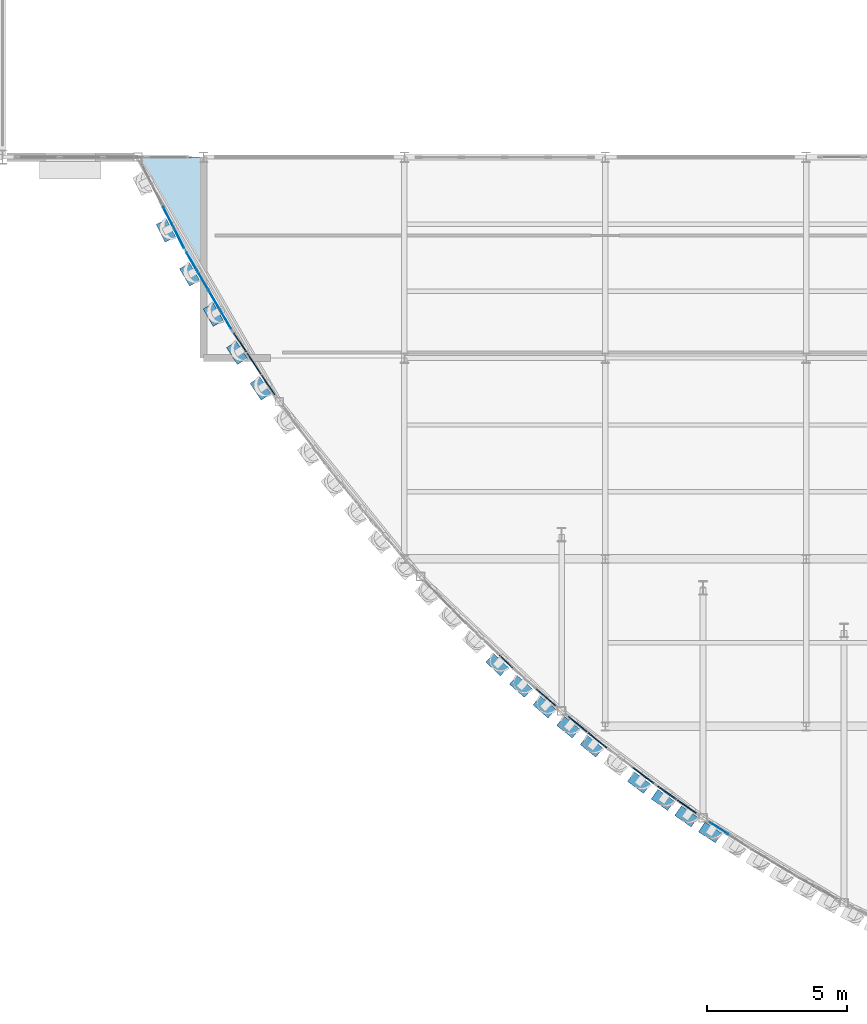
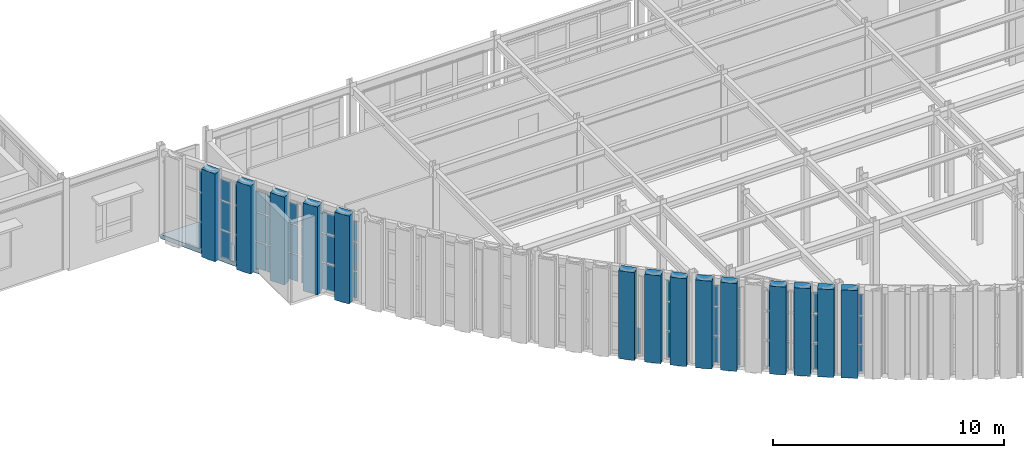
# One storey, part 74 of 121: 63 plates, 1 slab, 9 elements without a shape of their own.
"""IFC4 building model written with IfcOpenShell, lengths in metres."""

from ifc_helpers import new_model, si_unit, direction, frame, origin, origin_2d, place, context, subcontext, project, spatial, polyline, rectangle, outline, extrude, material, layer, layer_set, type_object, element, aggregate, save


model = new_model("IFC4")

# Units and contexts
model_context = context("Model", 3, precision=1e-05, world=origin(), true_north=direction((0.0, 1.0)))
body_context = subcontext(model_context, "Body", "Model", "MODEL_VIEW")
ifc_project = project(units=[si_unit("LENGTHUNIT", "METRE"), si_unit("AREAUNIT", "SQUARE_METRE"), si_unit("VOLUMEUNIT", "CUBIC_METRE"), si_unit("PLANEANGLEUNIT", "RADIAN"), si_unit("MASSUNIT", "GRAM", prefix="KILO")], contexts=[model_context])

# Site, building, storey
site_placement = place(None, origin())
site = spatial("IfcSite", under=ifc_project, at=site_placement, CompositionType="ELEMENT")
building_placement = place(site_placement, origin())
building = spatial("IfcBuilding", under=site, at=building_placement, Name="Solvadek Multi-Sports Hall", CompositionType="ELEMENT")
storey_placement = place(building_placement, frame((0.0, 0.0, 4.800048828125)))
storey = spatial("IfcBuildingStorey", under=building, at=storey_placement, Name="L01", CompositionType="ELEMENT", Elevation=4.800048828125)

# Curtain wall, plates
ifc_material_1 = material(Name="Anodised aluminium", Category="aluminium")
ifc_layer_1 = layer(ifc_material_1, 0.159912109375, Name="Anodised aluminium")
ifc_layer_set_1 = layer_set([ifc_layer_1], Name="Anodised aluminium")
curtain_wall_type_1 = type_object("IfcCurtainWallType", Name="ENV-CW-347X420", PredefinedType="USERDEFINED", material=ifc_layer_set_1)
curtain_wall_1_placement = place(storey_placement, origin())
curtain_wall_1 = element("IfcCurtainWall", 1, at=curtain_wall_1_placement, inside=storey, type_object=curtain_wall_type_1, Name="L01 Crescent Curved Curtain Wall #1", ObjectType="CURTAIN WALL", PredefinedType="USERDEFINED")
ifc_material_2 = material(Name="Tempered laminated low-E glass", Category="glass")
ifc_layer_2 = layer(ifc_material_2, 0.02392578125, Name="Tempered laminated low-E glass")
ifc_layer_set_2 = layer_set([ifc_layer_2], Name="Tempered laminated low-E glass")
plate_type_1 = type_object("IfcPlateType", Name="ENV-CWP-01", PredefinedType="CURTAIN_PANEL", material=ifc_layer_set_2)
plate_1_placement = place(storey_placement, frame((27.541015625, 18.253173828125, 0.06005859375), z_axis=(0.0, 0.0, 1.0), x_axis=(0.451559432312, -0.892241043155, 0.0)))
plate_1 = element("IfcPlate", 2, at=plate_1_placement, type_object=plate_type_1, Name="CW-01 panel 3.1", PredefinedType="CURTAIN_PANEL", context=body_context, shape_type="SweptSolid", body=[
    extrude(rectangle(XDim=0.806396484375, YDim=0.02392578125, at=origin_2d()), origin(), (0.0, 0.0, 1.0), 1.3798828125),
])
plate_2_placement = place(storey_placement, frame((27.541015625, 18.253173828125, 1.5), z_axis=(0.0, 0.0, 1.0), x_axis=(0.451559432312, -0.892241043155, 0.0)))
plate_2 = element("IfcPlate", 3, at=plate_2_placement, type_object=plate_type_1, Name="CW-01 panel 3.2", PredefinedType="CURTAIN_PANEL", context=body_context, shape_type="SweptSolid", body=[
    extrude(rectangle(XDim=0.806396484375, YDim=0.02392578125, at=origin_2d()), origin(), (0.0, 0.0, 1.0), 1.493896484375),
])
plate_3_placement = place(storey_placement, frame((27.541015625, 18.253173828125, 3.053955078125), z_axis=(0.0, 0.0, 1.0), x_axis=(0.451559432312, -0.892241043155, 0.0)))
plate_3 = element("IfcPlate", 4, at=plate_3_placement, type_object=plate_type_1, Name="CW-01 panel 3.3", PredefinedType="CURTAIN_PANEL", context=body_context, shape_type="SweptSolid", body=[
    extrude(rectangle(XDim=0.806396484375, YDim=0.02392578125, at=origin_2d()), origin(), (0.0, 0.0, 1.0), 1.0859375),
])
plate_4_placement = place(storey_placement, frame((27.925537109375, 17.493408203125, 0.06005859375), z_axis=(0.0, 0.0, 1.0), x_axis=(0.451559432312, -0.892241043155, 0.0)))
plate_4 = element("IfcPlate", 5, at=plate_4_placement, type_object=plate_type_1, Name="CW-01 panel 4.1", PredefinedType="CURTAIN_PANEL", context=body_context, shape_type="SweptSolid", body=[
    extrude(rectangle(XDim=0.7763671875, YDim=0.02392578125, at=origin_2d()), origin(), (0.0, 0.0, 1.0), 1.3798828125),
])
plate_5_placement = place(storey_placement, frame((27.925537109375, 17.493408203125, 1.5), z_axis=(0.0, 0.0, 1.0), x_axis=(0.451559432312, -0.892241043155, 0.0)))
plate_5 = element("IfcPlate", 6, at=plate_5_placement, type_object=plate_type_1, Name="CW-01 panel 4.2", PredefinedType="CURTAIN_PANEL", context=body_context, shape_type="SweptSolid", body=[
    extrude(rectangle(XDim=0.7763671875, YDim=0.02392578125, at=origin_2d()), origin(), (0.0, 0.0, 1.0), 1.493896484375),
])
plate_6_placement = place(storey_placement, frame((27.925537109375, 17.493408203125, 3.053955078125), z_axis=(0.0, 0.0, 1.0), x_axis=(0.451559432312, -0.892241043155, 0.0)))
plate_6 = element("IfcPlate", 7, at=plate_6_placement, type_object=plate_type_1, Name="CW-01 panel 4.3", PredefinedType="CURTAIN_PANEL", context=body_context, shape_type="SweptSolid", body=[
    extrude(rectangle(XDim=0.7763671875, YDim=0.02392578125, at=origin_2d()), origin(), (0.0, 0.0, 1.0), 1.0859375),
])
aggregate(curtain_wall_1, [plate_1, plate_2, plate_3, plate_4, plate_5, plate_6])

ifc_layer_3 = layer(ifc_material_1, 0.159912109375, Name="Anodised aluminium")
ifc_layer_set_3 = layer_set([ifc_layer_3], Name="Anodised aluminium")
curtain_wall_type_2 = type_object("IfcCurtainWallType", Name="ENV-CW-174X420", PredefinedType="USERDEFINED", material=ifc_layer_set_3)
curtain_wall_2_placement = place(storey_placement, origin())
curtain_wall_2 = element("IfcCurtainWall", 8, at=curtain_wall_2_placement, inside=storey, type_object=curtain_wall_type_2, Name="L01 Crescent Curved Curtain Wall #25", ObjectType="CURTAIN WALL", PredefinedType="USERDEFINED")
plate_7_placement = place(storey_placement, frame((47.277099609375, -3.654541015625, 0.06005859375), z_axis=(0.0, 0.0, 1.0), x_axis=(0.839045645786, -0.544061029929, 0.0)))
plate_7 = element("IfcPlate", 9, at=plate_7_placement, type_object=plate_type_1, Name="CW-12 panel 1.1", PredefinedType="CURTAIN_PANEL", context=body_context, shape_type="SweptSolid", body=[
    extrude(rectangle(XDim=0.772705078125, YDim=0.02392578125, at=origin_2d()), origin(), (0.0, 0.0, 1.0), 1.3798828125),
])
plate_8_placement = place(storey_placement, frame((47.277099609375, -3.654541015625, 1.5), z_axis=(0.0, 0.0, 1.0), x_axis=(0.839045645786, -0.544061029929, 0.0)))
plate_8 = element("IfcPlate", 10, at=plate_8_placement, type_object=plate_type_1, Name="CW-12 panel 1.2", PredefinedType="CURTAIN_PANEL", context=body_context, shape_type="SweptSolid", body=[
    extrude(rectangle(XDim=0.772705078125, YDim=0.02392578125, at=origin_2d()), origin(), (0.0, 0.0, 1.0), 1.493896484375),
])
plate_9_placement = place(storey_placement, frame((47.277099609375, -3.654541015625, 3.053955078125), z_axis=(0.0, 0.0, 1.0), x_axis=(0.839045645786, -0.544061029929, 0.0)))
plate_9 = element("IfcPlate", 11, at=plate_9_placement, type_object=plate_type_1, Name="CW-12 panel 1.3", PredefinedType="CURTAIN_PANEL", context=body_context, shape_type="SweptSolid", body=[
    extrude(rectangle(XDim=0.772705078125, YDim=0.02392578125, at=origin_2d()), origin(), (0.0, 0.0, 1.0), 1.0859375),
])
aggregate(curtain_wall_2, [plate_7, plate_8, plate_9])

ifc_layer_4 = layer(ifc_material_1, 0.159912109375, Name="Anodised aluminium")
ifc_layer_set_4 = layer_set([ifc_layer_4], Name="Anodised aluminium")
curtain_wall_type_3 = type_object("IfcCurtainWallType", Name="ENV-CW-328X420", PredefinedType="USERDEFINED", material=ifc_layer_set_4)
curtain_wall_3_placement = place(storey_placement, origin())
curtain_wall_3 = element("IfcCurtainWall", 12, at=curtain_wall_3_placement, inside=storey, type_object=curtain_wall_type_3, Name="L01 Crescent Curved Curtain Wall #3", ObjectType="CURTAIN WALL", PredefinedType="USERDEFINED")
ifc_layer_5 = layer(ifc_material_2, 0.028076171875, Name="Tempered laminated low-E glass")
ifc_layer_set_5 = layer_set([ifc_layer_5], Name="Tempered laminated low-E glass")
plate_type_2 = type_object("IfcPlateType", Name="ENV-CWP-02", PredefinedType="CURTAIN_PANEL", material=ifc_layer_set_5)
plate_10_placement = place(storey_placement, frame((28.371337890625, 16.673828125, 0.06005859375), z_axis=(0.0, 0.0, 1.0), x_axis=(0.504956590114, -0.863144739948, 0.0)))
plate_10 = element("IfcPlate", 13, at=plate_10_placement, type_object=plate_type_2, Name="CW-02 panel 1.1", PredefinedType="CURTAIN_PANEL", context=body_context, shape_type="SweptSolid", body=[
    extrude(rectangle(XDim=0.730224609375, YDim=0.028076171875, at=origin_2d()), origin(), (0.0, 0.0, 1.0), 1.3798828125),
])
plate_11_placement = place(storey_placement, frame((28.371337890625, 16.673828125, 1.5), z_axis=(0.0, 0.0, 1.0), x_axis=(0.504956590114, -0.863144739948, 0.0)))
plate_11 = element("IfcPlate", 14, at=plate_11_placement, type_object=plate_type_2, Name="CW-02 panel 1.2", PredefinedType="CURTAIN_PANEL", context=body_context, shape_type="SweptSolid", body=[
    extrude(rectangle(XDim=0.730224609375, YDim=0.028076171875, at=origin_2d()), origin(), (0.0, 0.0, 1.0), 1.493896484375),
])
plate_12_placement = place(storey_placement, frame((28.371337890625, 16.673828125, 3.053955078125), z_axis=(0.0, 0.0, 1.0), x_axis=(0.504956590114, -0.863144739948, 0.0)))
plate_12 = element("IfcPlate", 15, at=plate_12_placement, type_object=plate_type_2, Name="CW-02 panel 1.3", PredefinedType="CURTAIN_PANEL", context=body_context, shape_type="SweptSolid", body=[
    extrude(rectangle(XDim=0.730224609375, YDim=0.028076171875, at=origin_2d()), origin(), (0.0, 0.0, 1.0), 1.0859375),
])
plate_13_placement = place(storey_placement, frame((28.77783203125, 15.97900390625, 0.06005859375), z_axis=(0.0, 0.0, 1.0), x_axis=(0.504956590114, -0.863144739948, 0.0)))
plate_13 = element("IfcPlate", 16, at=plate_13_placement, type_object=plate_type_2, Name="CW-02 panel 2.1", PredefinedType="CURTAIN_PANEL", context=body_context, shape_type="SweptSolid", body=[
    extrude(rectangle(XDim=0.76025390625, YDim=0.028076171875, at=origin_2d()), origin(), (0.0, 0.0, 1.0), 1.3798828125),
])
plate_14_placement = place(storey_placement, frame((28.77783203125, 15.97900390625, 1.5), z_axis=(0.0, 0.0, 1.0), x_axis=(0.504956590114, -0.863144739948, 0.0)))
plate_14 = element("IfcPlate", 17, at=plate_14_placement, type_object=plate_type_2, Name="CW-02 panel 2.2", PredefinedType="CURTAIN_PANEL", context=body_context, shape_type="SweptSolid", body=[
    extrude(rectangle(XDim=0.76025390625, YDim=0.028076171875, at=origin_2d()), origin(), (0.0, 0.0, 1.0), 1.493896484375),
])
plate_15_placement = place(storey_placement, frame((28.77783203125, 15.97900390625, 3.053955078125), z_axis=(0.0, 0.0, 1.0), x_axis=(0.504956590114, -0.863144739948, 0.0)))
plate_15 = element("IfcPlate", 18, at=plate_15_placement, type_object=plate_type_2, Name="CW-02 panel 2.3", PredefinedType="CURTAIN_PANEL", context=body_context, shape_type="SweptSolid", body=[
    extrude(rectangle(XDim=0.76025390625, YDim=0.028076171875, at=origin_2d()), origin(), (0.0, 0.0, 1.0), 1.0859375),
])
plate_16_placement = place(storey_placement, frame((29.19189453125, 15.27099609375, 0.06005859375), z_axis=(0.0, 0.0, 1.0), x_axis=(0.504956590114, -0.863144739948, 0.0)))
plate_16 = element("IfcPlate", 19, at=plate_16_placement, type_object=plate_type_2, Name="CW-02 panel 3.1", PredefinedType="CURTAIN_PANEL", context=body_context, shape_type="SweptSolid", body=[
    extrude(rectangle(XDim=0.76025390625, YDim=0.028076171875, at=origin_2d()), origin(), (0.0, 0.0, 1.0), 1.3798828125),
])
plate_17_placement = place(storey_placement, frame((29.19189453125, 15.27099609375, 1.5), z_axis=(0.0, 0.0, 1.0), x_axis=(0.504956590114, -0.863144739948, 0.0)))
plate_17 = element("IfcPlate", 20, at=plate_17_placement, type_object=plate_type_2, Name="CW-02 panel 3.2", PredefinedType="CURTAIN_PANEL", context=body_context, shape_type="SweptSolid", body=[
    extrude(rectangle(XDim=0.76025390625, YDim=0.028076171875, at=origin_2d()), origin(), (0.0, 0.0, 1.0), 1.493896484375),
])
plate_18_placement = place(storey_placement, frame((29.19189453125, 15.27099609375, 3.053955078125), z_axis=(0.0, 0.0, 1.0), x_axis=(0.504956590114, -0.863144739948, 0.0)))
plate_18 = element("IfcPlate", 21, at=plate_18_placement, type_object=plate_type_2, Name="CW-02 panel 3.3", PredefinedType="CURTAIN_PANEL", context=body_context, shape_type="SweptSolid", body=[
    extrude(rectangle(XDim=0.76025390625, YDim=0.028076171875, at=origin_2d()), origin(), (0.0, 0.0, 1.0), 1.0859375),
])
plate_19_placement = place(storey_placement, frame((29.5986328125, 14.575927734375, 0.06005859375), z_axis=(0.0, 0.0, 1.0), x_axis=(0.504956590114, -0.863144739948, 0.0)))
plate_19 = element("IfcPlate", 22, at=plate_19_placement, type_object=plate_type_2, Name="CW-02 panel 4.1", PredefinedType="CURTAIN_PANEL", context=body_context, shape_type="SweptSolid", body=[
    extrude(rectangle(XDim=0.730224609375, YDim=0.028076171875, at=origin_2d()), origin(), (0.0, 0.0, 1.0), 1.3798828125),
])
plate_20_placement = place(storey_placement, frame((29.5986328125, 14.575927734375, 1.5), z_axis=(0.0, 0.0, 1.0), x_axis=(0.504956590114, -0.863144739948, 0.0)))
plate_20 = element("IfcPlate", 23, at=plate_20_placement, type_object=plate_type_2, Name="CW-02 panel 4.2", PredefinedType="CURTAIN_PANEL", context=body_context, shape_type="SweptSolid", body=[
    extrude(rectangle(XDim=0.730224609375, YDim=0.028076171875, at=origin_2d()), origin(), (0.0, 0.0, 1.0), 1.493896484375),
])
plate_21_placement = place(storey_placement, frame((29.5986328125, 14.575927734375, 3.053955078125), z_axis=(0.0, 0.0, 1.0), x_axis=(0.504956590114, -0.863144739948, 0.0)))
plate_21 = element("IfcPlate", 24, at=plate_21_placement, type_object=plate_type_2, Name="CW-02 panel 4.3", PredefinedType="CURTAIN_PANEL", context=body_context, shape_type="SweptSolid", body=[
    extrude(rectangle(XDim=0.730224609375, YDim=0.028076171875, at=origin_2d()), origin(), (0.0, 0.0, 1.0), 1.0859375),
])
aggregate(curtain_wall_3, [plate_10, plate_11, plate_12, plate_13, plate_14, plate_15, plate_16, plate_17, plate_18, plate_19, plate_20, plate_21])

# Curtain wall, plate
ifc_layer_6 = layer(ifc_material_1, 0.159912109375, Name="Anodised aluminium")
ifc_layer_set_6 = layer_set([ifc_layer_6], Name="Anodised aluminium")
curtain_wall_type_4 = type_object("IfcCurtainWallType", Name="ENV-CW-227X420", PredefinedType="USERDEFINED", material=ifc_layer_set_6)
curtain_wall_4_placement = place(storey_placement, origin())
curtain_wall_4 = element("IfcCurtainWall", 25, at=curtain_wall_4_placement, inside=storey, type_object=curtain_wall_type_4, Name="L01 Crescent Curved Curtain Wall #15", ObjectType="CURTAIN WALL", PredefinedType="USERDEFINED")
plate_22_placement = place(storey_placement, frame((39.64208984375, 2.31982421875, 0.06494140625), z_axis=(0.0, 0.0, 1.0), x_axis=(0.724763758281, -0.688997456224, 0.0)))
plate_22 = element("IfcPlate", 26, at=plate_22_placement, type_object=plate_type_2, Name="CW-06 panel 3.1", PredefinedType="CURTAIN_PANEL", context=body_context, shape_type="SweptSolid", body=[
    extrude(rectangle(XDim=0.658447265625, YDim=0.028076171875, at=origin_2d()), origin(), (0.0, 0.0, 1.0), 1.37255859375),
])
aggregate(curtain_wall_4, [plate_22])

# Curtain wall, plates
ifc_layer_7 = layer(ifc_material_1, 0.159912109375, Name="Anodised aluminium")
ifc_layer_set_7 = layer_set([ifc_layer_7], Name="Anodised aluminium")
curtain_wall_type_5 = type_object("IfcCurtainWallType", Name="ENV-CW-279X420", PredefinedType="USERDEFINED", material=ifc_layer_set_7)
curtain_wall_5_placement = place(storey_placement, origin())
curtain_wall_5 = element("IfcCurtainWall", 27, at=curtain_wall_5_placement, inside=storey, type_object=curtain_wall_type_5, Name="L01 Crescent Curved Curtain Wall #5", ObjectType="CURTAIN WALL", PredefinedType="USERDEFINED")
ifc_layer_8 = layer(ifc_material_2, 0.031982421875, Name="Tempered laminated low-E glass")
ifc_layer_set_8 = layer_set([ifc_layer_8], Name="Tempered laminated low-E glass")
plate_type_3 = type_object("IfcPlateType", Name="ENV-CWP-03", PredefinedType="CURTAIN_PANEL", material=ifc_layer_set_8)
plate_23_placement = place(storey_placement, frame((30.110107421875, 13.757080078125, 0.06494140625), z_axis=(0.0, 0.0, 1.0), x_axis=(0.551617449343, -0.834097230292, 0.0)))
plate_23 = element("IfcPlate", 28, at=plate_23_placement, type_object=plate_type_3, Name="CW-03 panel 1.1", PredefinedType="CURTAIN_PANEL", context=body_context, shape_type="SweptSolid", body=[
    extrude(rectangle(XDim=0.831787109375, YDim=0.031982421875, at=origin_2d()), origin(), (0.0, 0.0, 1.0), 1.37255859375),
])
plate_24_placement = place(storey_placement, frame((30.110107421875, 13.757080078125, 1.50244140625), z_axis=(0.0, 0.0, 1.0), x_axis=(0.551617449343, -0.834097230292, 0.0)))
plate_24 = element("IfcPlate", 29, at=plate_24_placement, type_object=plate_type_3, Name="CW-03 panel 1.2", PredefinedType="CURTAIN_PANEL", context=body_context, shape_type="SweptSolid", body=[
    extrude(rectangle(XDim=0.831787109375, YDim=0.031982421875, at=origin_2d()), origin(), (0.0, 0.0, 1.0), 1.489013671875),
])
plate_25_placement = place(storey_placement, frame((30.110107421875, 13.757080078125, 3.056396484375), z_axis=(0.0, 0.0, 1.0), x_axis=(0.551617449343, -0.834097230292, 0.0)))
plate_25 = element("IfcPlate", 30, at=plate_25_placement, type_object=plate_type_3, Name="CW-03 panel 1.3", PredefinedType="CURTAIN_PANEL", context=body_context, shape_type="SweptSolid", body=[
    extrude(rectangle(XDim=0.831787109375, YDim=0.031982421875, at=origin_2d()), origin(), (0.0, 0.0, 1.0), 1.07861328125),
])
plate_26_placement = place(storey_placement, frame((30.61376953125, 12.995361328125, 0.06494140625), z_axis=(0.0, 0.0, 1.0), x_axis=(0.551617449343, -0.834097230292, 0.0)))
plate_26 = element("IfcPlate", 31, at=plate_26_placement, type_object=plate_type_3, Name="CW-03 panel 2.1", PredefinedType="CURTAIN_PANEL", context=body_context, shape_type="SweptSolid", body=[
    extrude(rectangle(XDim=0.864501953125, YDim=0.031982421875, at=origin_2d()), origin(), (0.0, 0.0, 1.0), 1.37255859375),
])
plate_27_placement = place(storey_placement, frame((30.61376953125, 12.995361328125, 1.50244140625), z_axis=(0.0, 0.0, 1.0), x_axis=(0.551617449343, -0.834097230292, 0.0)))
plate_27 = element("IfcPlate", 32, at=plate_27_placement, type_object=plate_type_3, Name="CW-03 panel 2.2", PredefinedType="CURTAIN_PANEL", context=body_context, shape_type="SweptSolid", body=[
    extrude(rectangle(XDim=0.864501953125, YDim=0.031982421875, at=origin_2d()), origin(), (0.0, 0.0, 1.0), 1.489013671875),
])
plate_28_placement = place(storey_placement, frame((30.61376953125, 12.995361328125, 3.056396484375), z_axis=(0.0, 0.0, 1.0), x_axis=(0.551617449343, -0.834097230292, 0.0)))
plate_28 = element("IfcPlate", 33, at=plate_28_placement, type_object=plate_type_3, Name="CW-03 panel 2.3", PredefinedType="CURTAIN_PANEL", context=body_context, shape_type="SweptSolid", body=[
    extrude(rectangle(XDim=0.864501953125, YDim=0.031982421875, at=origin_2d()), origin(), (0.0, 0.0, 1.0), 1.07861328125),
])
plate_29_placement = place(storey_placement, frame((31.117431640625, 12.233642578125, 0.06494140625), z_axis=(0.0, 0.0, 1.0), x_axis=(0.551617449343, -0.834097230292, 0.0)))
plate_29 = element("IfcPlate", 34, at=plate_29_placement, type_object=plate_type_3, Name="CW-03 panel 3.1", PredefinedType="CURTAIN_PANEL", context=body_context, shape_type="SweptSolid", body=[
    extrude(rectangle(XDim=0.831787109375, YDim=0.031982421875, at=origin_2d()), origin(), (0.0, 0.0, 1.0), 1.37255859375),
])
plate_30_placement = place(storey_placement, frame((31.117431640625, 12.233642578125, 1.50244140625), z_axis=(0.0, 0.0, 1.0), x_axis=(0.551617449343, -0.834097230292, 0.0)))
plate_30 = element("IfcPlate", 35, at=plate_30_placement, type_object=plate_type_3, Name="CW-03 panel 3.2", PredefinedType="CURTAIN_PANEL", context=body_context, shape_type="SweptSolid", body=[
    extrude(rectangle(XDim=0.831787109375, YDim=0.031982421875, at=origin_2d()), origin(), (0.0, 0.0, 1.0), 1.489013671875),
])
plate_31_placement = place(storey_placement, frame((31.117431640625, 12.233642578125, 3.056396484375), z_axis=(0.0, 0.0, 1.0), x_axis=(0.551617449343, -0.834097230292, 0.0)))
plate_31 = element("IfcPlate", 36, at=plate_31_placement, type_object=plate_type_3, Name="CW-03 panel 3.3", PredefinedType="CURTAIN_PANEL", context=body_context, shape_type="SweptSolid", body=[
    extrude(rectangle(XDim=0.831787109375, YDim=0.031982421875, at=origin_2d()), origin(), (0.0, 0.0, 1.0), 1.07861328125),
])
aggregate(curtain_wall_5, [plate_23, plate_24, plate_25, plate_26, plate_27, plate_28, plate_29, plate_30, plate_31])

ifc_layer_9 = layer(ifc_material_1, 0.159912109375, Name="Anodised aluminium")
ifc_layer_set_9 = layer_set([ifc_layer_9], Name="Anodised aluminium")
curtain_wall_type_6 = type_object("IfcCurtainWallType", Name="ENV-CW-198X420", PredefinedType="USERDEFINED", material=ifc_layer_set_9)
curtain_wall_6_placement = place(storey_placement, origin())
curtain_wall_6 = element("IfcCurtainWall", 37, at=curtain_wall_6_placement, inside=storey, type_object=curtain_wall_type_6, Name="L01 Crescent Curved Curtain Wall #17", ObjectType="CURTAIN WALL", PredefinedType="USERDEFINED")
plate_32_placement = place(storey_placement, frame((41.07275390625, 1.04052734375, 0.06005859375), z_axis=(0.0, 0.0, 1.0), x_axis=(0.751217375879, -0.660054887246, 0.0)))
plate_32 = element("IfcPlate", 38, at=plate_32_placement, type_object=plate_type_3, Name="CW-08 panel 2.1", PredefinedType="CURTAIN_PANEL", context=body_context, shape_type="SweptSolid", body=[
    extrude(rectangle(XDim=0.890380859375, YDim=0.031982421875, at=origin_2d()), origin(), (0.0, 0.0, 1.0), 1.3798828125),
])
plate_33_placement = place(storey_placement, frame((41.07275390625, 1.04052734375, 1.5), z_axis=(0.0, 0.0, 1.0), x_axis=(0.751217375879, -0.660054887246, 0.0)))
plate_33 = element("IfcPlate", 39, at=plate_33_placement, type_object=plate_type_3, Name="CW-08 panel 2.2", PredefinedType="CURTAIN_PANEL", context=body_context, shape_type="SweptSolid", body=[
    extrude(rectangle(XDim=0.890380859375, YDim=0.031982421875, at=origin_2d()), origin(), (0.0, 0.0, 1.0), 1.493896484375),
])
plate_34_placement = place(storey_placement, frame((41.07275390625, 1.04052734375, 3.053955078125), z_axis=(0.0, 0.0, 1.0), x_axis=(0.751217375879, -0.660054887246, 0.0)))
plate_34 = element("IfcPlate", 40, at=plate_34_placement, type_object=plate_type_3, Name="CW-08 panel 2.3", PredefinedType="CURTAIN_PANEL", context=body_context, shape_type="SweptSolid", body=[
    extrude(rectangle(XDim=0.890380859375, YDim=0.031982421875, at=origin_2d()), origin(), (0.0, 0.0, 1.0), 1.0859375),
])
aggregate(curtain_wall_6, [plate_32, plate_33, plate_34])

ifc_layer_10 = layer(ifc_material_1, 0.159912109375, Name="Anodised aluminium")
ifc_layer_set_10 = layer_set([ifc_layer_10], Name="Anodised aluminium")
curtain_wall_type_7 = type_object("IfcCurtainWallType", Name="ENV-CW-190X420", PredefinedType="USERDEFINED", material=ifc_layer_set_10)
curtain_wall_7_placement = place(storey_placement, origin())
curtain_wall_7 = element("IfcCurtainWall", 41, at=curtain_wall_7_placement, inside=storey, type_object=curtain_wall_type_7, Name="L01 Crescent Curved Curtain Wall #19", ObjectType="CURTAIN WALL", PredefinedType="USERDEFINED")
ifc_layer_11 = layer(ifc_material_2, 0.035888671875, Name="Tempered laminated low-E glass")
ifc_layer_set_11 = layer_set([ifc_layer_11], Name="Tempered laminated low-E glass")
plate_type_4 = type_object("IfcPlateType", Name="ENV-CWP-04", PredefinedType="CURTAIN_PANEL", material=ifc_layer_set_11)
plate_35_placement = place(storey_placement, frame((42.20556640625, 0.082275390625, 0.06005859375), z_axis=(0.0, 0.0, 1.0), x_axis=(0.775725183984, -0.631070866808, 0.0)))
plate_35 = element("IfcPlate", 42, at=plate_35_placement, type_object=plate_type_4, Name="CW-09 panel 1.1", PredefinedType="CURTAIN_PANEL", context=body_context, shape_type="SweptSolid", body=[
    extrude(rectangle(XDim=0.84716796875, YDim=0.035888671875, at=origin_2d()), origin(), (0.0, 0.0, 1.0), 1.3798828125),
])
plate_36_placement = place(storey_placement, frame((42.20556640625, 0.082275390625, 1.5), z_axis=(0.0, 0.0, 1.0), x_axis=(0.775725183984, -0.631070866808, 0.0)))
plate_36 = element("IfcPlate", 43, at=plate_36_placement, type_object=plate_type_4, Name="CW-09 panel 1.2", PredefinedType="CURTAIN_PANEL", context=body_context, shape_type="SweptSolid", body=[
    extrude(rectangle(XDim=0.84716796875, YDim=0.035888671875, at=origin_2d()), origin(), (0.0, 0.0, 1.0), 1.493896484375),
])
plate_37_placement = place(storey_placement, frame((42.20556640625, 0.082275390625, 3.053955078125), z_axis=(0.0, 0.0, 1.0), x_axis=(0.775725183984, -0.631070866808, 0.0)))
plate_37 = element("IfcPlate", 44, at=plate_37_placement, type_object=plate_type_4, Name="CW-09 panel 1.3", PredefinedType="CURTAIN_PANEL", context=body_context, shape_type="SweptSolid", body=[
    extrude(rectangle(XDim=0.84716796875, YDim=0.035888671875, at=origin_2d()), origin(), (0.0, 0.0, 1.0), 1.0859375),
])
plate_38_placement = place(storey_placement, frame((42.9169921875, -0.49658203125, 0.06005859375), z_axis=(0.0, 0.0, 1.0), x_axis=(0.775725183984, -0.631070866808, 0.0)))
plate_38 = element("IfcPlate", 45, at=plate_38_placement, type_object=plate_type_4, Name="CW-09 panel 2.1", PredefinedType="CURTAIN_PANEL", context=body_context, shape_type="SweptSolid", body=[
    extrude(rectangle(XDim=0.84716796875, YDim=0.035888671875, at=origin_2d()), origin(), (0.0, 0.0, 1.0), 1.3798828125),
])
plate_39_placement = place(storey_placement, frame((42.9169921875, -0.49658203125, 1.5), z_axis=(0.0, 0.0, 1.0), x_axis=(0.775725183984, -0.631070866808, 0.0)))
plate_39 = element("IfcPlate", 46, at=plate_39_placement, type_object=plate_type_4, Name="CW-09 panel 2.2", PredefinedType="CURTAIN_PANEL", context=body_context, shape_type="SweptSolid", body=[
    extrude(rectangle(XDim=0.84716796875, YDim=0.035888671875, at=origin_2d()), origin(), (0.0, 0.0, 1.0), 1.493896484375),
])
plate_40_placement = place(storey_placement, frame((42.9169921875, -0.49658203125, 3.053955078125), z_axis=(0.0, 0.0, 1.0), x_axis=(0.775725183984, -0.631070866808, 0.0)))
plate_40 = element("IfcPlate", 47, at=plate_40_placement, type_object=plate_type_4, Name="CW-09 panel 2.3", PredefinedType="CURTAIN_PANEL", context=body_context, shape_type="SweptSolid", body=[
    extrude(rectangle(XDim=0.84716796875, YDim=0.035888671875, at=origin_2d()), origin(), (0.0, 0.0, 1.0), 1.0859375),
])
aggregate(curtain_wall_7, [plate_35, plate_36, plate_37, plate_38, plate_39, plate_40])

ifc_layer_12 = layer(ifc_material_1, 0.159912109375, Name="Anodised aluminium")
ifc_layer_set_12 = layer_set([ifc_layer_12], Name="Anodised aluminium")
curtain_wall_type_8 = type_object("IfcCurtainWallType", Name="ENV-CW-205X420", PredefinedType="USERDEFINED", material=ifc_layer_set_12)
curtain_wall_8_placement = place(storey_placement, origin())
curtain_wall_8 = element("IfcCurtainWall", 48, at=curtain_wall_8_placement, inside=storey, type_object=curtain_wall_type_8, Name="L01 Crescent Curved Curtain Wall #21", ObjectType="CURTAIN WALL", PredefinedType="USERDEFINED")
ifc_layer_13 = layer(ifc_material_2, 0.0419921875, Name="Tempered laminated low-E glass")
ifc_layer_set_13 = layer_set([ifc_layer_13], Name="Tempered laminated low-E glass")
plate_type_5 = type_object("IfcPlateType", Name="ENV-CWP-05", PredefinedType="CURTAIN_PANEL", material=ifc_layer_set_13)
plate_41_placement = place(storey_placement, frame((44.564453125, -1.7626953125, 0.06494140625), z_axis=(0.0, 0.0, 1.0), x_axis=(0.798477265694, -0.602024963078, 0.0)))
plate_41 = element("IfcPlate", 49, at=plate_41_placement, type_object=plate_type_5, Name="CW-10 panel 2.1", PredefinedType="CURTAIN_PANEL", context=body_context, shape_type="SweptSolid", body=[
    extrude(rectangle(XDim=0.936279296875, YDim=0.0419921875, at=origin_2d()), origin(), (0.0, 0.0, 1.0), 1.37255859375),
])
plate_42_placement = place(storey_placement, frame((44.564453125, -1.7626953125, 1.50244140625), z_axis=(0.0, 0.0, 1.0), x_axis=(0.798477265694, -0.602024963078, 0.0)))
plate_42 = element("IfcPlate", 50, at=plate_42_placement, type_object=plate_type_5, Name="CW-10 panel 2.2", PredefinedType="CURTAIN_PANEL", context=body_context, shape_type="SweptSolid", body=[
    extrude(rectangle(XDim=0.936279296875, YDim=0.0419921875, at=origin_2d()), origin(), (0.0, 0.0, 1.0), 1.489013671875),
])
plate_43_placement = place(storey_placement, frame((44.564453125, -1.7626953125, 3.056396484375), z_axis=(0.0, 0.0, 1.0), x_axis=(0.798477265694, -0.602024963078, 0.0)))
plate_43 = element("IfcPlate", 51, at=plate_43_placement, type_object=plate_type_5, Name="CW-10 panel 2.3", PredefinedType="CURTAIN_PANEL", context=body_context, shape_type="SweptSolid", body=[
    extrude(rectangle(XDim=0.936279296875, YDim=0.0419921875, at=origin_2d()), origin(), (0.0, 0.0, 1.0), 1.07861328125),
])
aggregate(curtain_wall_8, [plate_41, plate_42, plate_43])

ifc_layer_14 = layer(ifc_material_1, 0.159912109375, Name="Anodised aluminium")
ifc_layer_set_14 = layer_set([ifc_layer_14], Name="Anodised aluminium")
curtain_wall_type_9 = type_object("IfcCurtainWallType", Name="ENV-CW-179X420", PredefinedType="USERDEFINED", material=ifc_layer_set_14)
curtain_wall_9_placement = place(storey_placement, origin())
curtain_wall_9 = element("IfcCurtainWall", 52, at=curtain_wall_9_placement, inside=storey, type_object=curtain_wall_type_9, Name="L01 Crescent Curved Curtain Wall #23", ObjectType="CURTAIN WALL", PredefinedType="USERDEFINED")
ifc_layer_15 = layer(ifc_material_2, 0.048095703125, Name="Tempered laminated low-E glass")
ifc_layer_set_15 = layer_set([ifc_layer_15], Name="Tempered laminated low-E glass")
plate_type_6 = type_object("IfcPlateType", Name="ENV-CWP-06", PredefinedType="CURTAIN_PANEL", material=ifc_layer_set_15)
plate_44_placement = place(storey_placement, frame((45.413330078125, -2.380615234375, 0.06494140625), z_axis=(0.0, 0.0, 1.0), x_axis=(0.819499775886, -0.573079503492, 0.0)))
plate_44 = element("IfcPlate", 53, at=plate_44_placement, type_object=plate_type_6, Name="CW-11 panel 1.1", PredefinedType="CURTAIN_PANEL", context=body_context, shape_type="SweptSolid", body=[
    extrude(rectangle(XDim=0.80419921875, YDim=0.048095703125, at=origin_2d()), origin(), (0.0, 0.0, 1.0), 1.37255859375),
])
plate_45_placement = place(storey_placement, frame((45.413330078125, -2.380615234375, 1.50244140625), z_axis=(0.0, 0.0, 1.0), x_axis=(0.819499775886, -0.573079503492, 0.0)))
plate_45 = element("IfcPlate", 54, at=plate_45_placement, type_object=plate_type_6, Name="CW-11 panel 1.2", PredefinedType="CURTAIN_PANEL", context=body_context, shape_type="SweptSolid", body=[
    extrude(rectangle(XDim=0.80419921875, YDim=0.048095703125, at=origin_2d()), origin(), (0.0, 0.0, 1.0), 1.489013671875),
])
plate_46_placement = place(storey_placement, frame((45.413330078125, -2.380615234375, 3.056396484375), z_axis=(0.0, 0.0, 1.0), x_axis=(0.819499775886, -0.573079503492, 0.0)))
plate_46 = element("IfcPlate", 55, at=plate_46_placement, type_object=plate_type_6, Name="CW-11 panel 1.3", PredefinedType="CURTAIN_PANEL", context=body_context, shape_type="SweptSolid", body=[
    extrude(rectangle(XDim=0.80419921875, YDim=0.048095703125, at=origin_2d()), origin(), (0.0, 0.0, 1.0), 1.07861328125),
])
plate_47_placement = place(storey_placement, frame((46.12158203125, -2.8759765625, 0.06494140625), z_axis=(0.0, 0.0, 1.0), x_axis=(0.819499775886, -0.573079503492, 0.0)))
plate_47 = element("IfcPlate", 56, at=plate_47_placement, type_object=plate_type_6, Name="CW-11 panel 2.1", PredefinedType="CURTAIN_PANEL", context=body_context, shape_type="SweptSolid", body=[
    extrude(rectangle(XDim=0.80419921875, YDim=0.048095703125, at=origin_2d()), origin(), (0.0, 0.0, 1.0), 1.37255859375),
])
plate_48_placement = place(storey_placement, frame((46.12158203125, -2.8759765625, 1.50244140625), z_axis=(0.0, 0.0, 1.0), x_axis=(0.819499775886, -0.573079503492, 0.0)))
plate_48 = element("IfcPlate", 57, at=plate_48_placement, type_object=plate_type_6, Name="CW-11 panel 2.2", PredefinedType="CURTAIN_PANEL", context=body_context, shape_type="SweptSolid", body=[
    extrude(rectangle(XDim=0.80419921875, YDim=0.048095703125, at=origin_2d()), origin(), (0.0, 0.0, 1.0), 1.489013671875),
])
plate_49_placement = place(storey_placement, frame((46.12158203125, -2.8759765625, 3.056396484375), z_axis=(0.0, 0.0, 1.0), x_axis=(0.819499775886, -0.573079503492, 0.0)))
plate_49 = element("IfcPlate", 58, at=plate_49_placement, type_object=plate_type_6, Name="CW-11 panel 2.3", PredefinedType="CURTAIN_PANEL", context=body_context, shape_type="SweptSolid", body=[
    extrude(rectangle(XDim=0.80419921875, YDim=0.048095703125, at=origin_2d()), origin(), (0.0, 0.0, 1.0), 1.07861328125),
])
aggregate(curtain_wall_9, [plate_44, plate_45, plate_46, plate_47, plate_48, plate_49])

# Plates
ifc_material_3 = material(Name="Perforated champagne-bronze anodised aluminium", Category="aluminium")
ifc_layer_16 = layer(ifc_material_3, 0.419921875, Name="Perforated champagne-bronze anodised aluminium")
ifc_layer_set_16 = layer_set([ifc_layer_16], Name="Perforated champagne-bronze anodised aluminium")
plate_type_7 = type_object("IfcPlateType", Name="ENV-FLT-440", PredefinedType="USERDEFINED", material=ifc_layer_set_16)
for number, where, z_axis, x_axis, name in (
    (59, (27.4521484375, 17.7646484375, 0.0400390625), (0.0, 0.0, 1.0), (0.451555495273, -0.892243035663, 0.0), "L01 Half-Cylinder Colonnade Flute #2"),
    (60, (28.30419921875, 16.1943359375, 0.0400390625), (0.0, 0.0, 1.0), (0.504933392767, -0.863158310432, 0.0), "L01 Half-Cylinder Colonnade Flute #5"),
    (61, (29.147705078125, 14.752685546875, 0.0400390625), (0.0, 0.0, 1.0), (0.504933392767, -0.863158310432, 0.0), "L01 Half-Cylinder Colonnade Flute #6"),
    (62, (29.999755859375, 13.380126953125, 0.0400390625), (0.0, 0.0, 1.0), (0.551610038251, -0.834102131457, 0.0), "L01 Half-Cylinder Colonnade Flute #9"),
    (63, (30.84326171875, 12.104736328125, 0.0400390625), (0.0, 0.0, 1.0), (0.551610038251, -0.834102131457, 0.0), "L01 Half-Cylinder Colonnade Flute #10"),
    (64, (39.321044921875, 2.2109375, 0.0400390625), (0.0, 0.0, 1.0), (0.724733346655, -0.689029445123, 0.0), "L01 Half-Cylinder Colonnade Flute #30"),
    (65, (40.173095703125, 1.431640625, 0.0400390625), (0.0, 0.0, 1.0), (0.751215081629, -0.660057498353, 0.0), "L01 Half-Cylinder Colonnade Flute #33"),
    (66, (41.0166015625, 0.6904296875, 0.0400390625), (0.0, 0.0, 1.0), (0.751215081629, -0.660057498353, 0.0), "L01 Half-Cylinder Colonnade Flute #34"),
    (67, (41.868896484375, -0.030517578125, 0.0400390625), (0.0, 0.0, 1.0), (0.775755175732, -0.631033998549, 0.0), "L01 Half-Cylinder Colonnade Flute #37"),
    (68, (42.712158203125, -0.716552734375, 0.0400390625), (0.0, 0.0, 1.0), (0.775755175732, -0.631033998549, 0.0), "L01 Half-Cylinder Colonnade Flute #38"),
    (69, (44.40771484375, -2.020263671875, 0.0400390625), (0.0, 0.0, 1.0), (0.798475077393, -0.602027865453, 0.0), "L01 Half-Cylinder Colonnade Flute #42"),
    (70, (45.260009765625, -2.639404296875, 0.0400390625), (0.0, 0.0, 1.0), (0.819512548695, -0.573061238029, 0.0), "L01 Half-Cylinder Colonnade Flute #45"),
    (71, (46.103271484375, -3.229248046875, 0.0400390625), (0.0, 0.0, 1.0), (0.819512548695, -0.573061238029, 0.0), "L01 Half-Cylinder Colonnade Flute #46"),
    (72, (46.95556640625, -3.803466796875, 0.0400390625), (0.0, 0.0, 1.0), (0.839053337602, -0.544049167502, 0.0), "L01 Half-Cylinder Colonnade Flute #49"),
):
    element("IfcPlate", number, at=place(storey_placement, frame(where, z_axis=z_axis, x_axis=x_axis)), inside=storey, type_object=plate_type_7, Name=name, ObjectType="FLANGED_SHEET", PredefinedType="USERDEFINED", context=body_context, shape_type="SweptSolid", body=[
        extrude(rectangle(XDim=0.719970703125, YDim=0.419921875, at=origin_2d()), origin(), (0.0, 0.0, 1.0), 4.64990234375),
    ])

# Slab
ifc_material_4 = material(Name="Concrete M35", Category="concrete")
ifc_layer_17 = layer(ifc_material_4, 0.219970703125, Name="Concrete M35")
ifc_layer_set_17 = layer_set([ifc_layer_17], Name="Concrete M35")
slab_type = type_object("IfcSlabType", Name="STR-SLB-FLR220", PredefinedType="FLOOR", material=ifc_layer_set_17)
slab_placement = place(storey_placement, frame((0.0, 0.0, -0.219970703125)))
element("IfcSlab", 73, at=slab_placement, inside=storey, type_object=slab_type, Name="L01 West Crescent Curved Slab #21", PredefinedType="FLOOR", context=body_context, shape_type="SweptSolid", body=[
    extrude(outline(polyline([(26.45458984375, 20.39990234375), (28.800048828125, 20.39990234375), (28.800048828125, 15.94091796875), (28.1416015625, 17.066650390625), (26.45458984375, 20.39990234375), (26.45458984375, 20.39990234375)])), origin(), (0.0, 0.0, 1.0), 0.219970703125),
])

save(model, "model.ifc")
